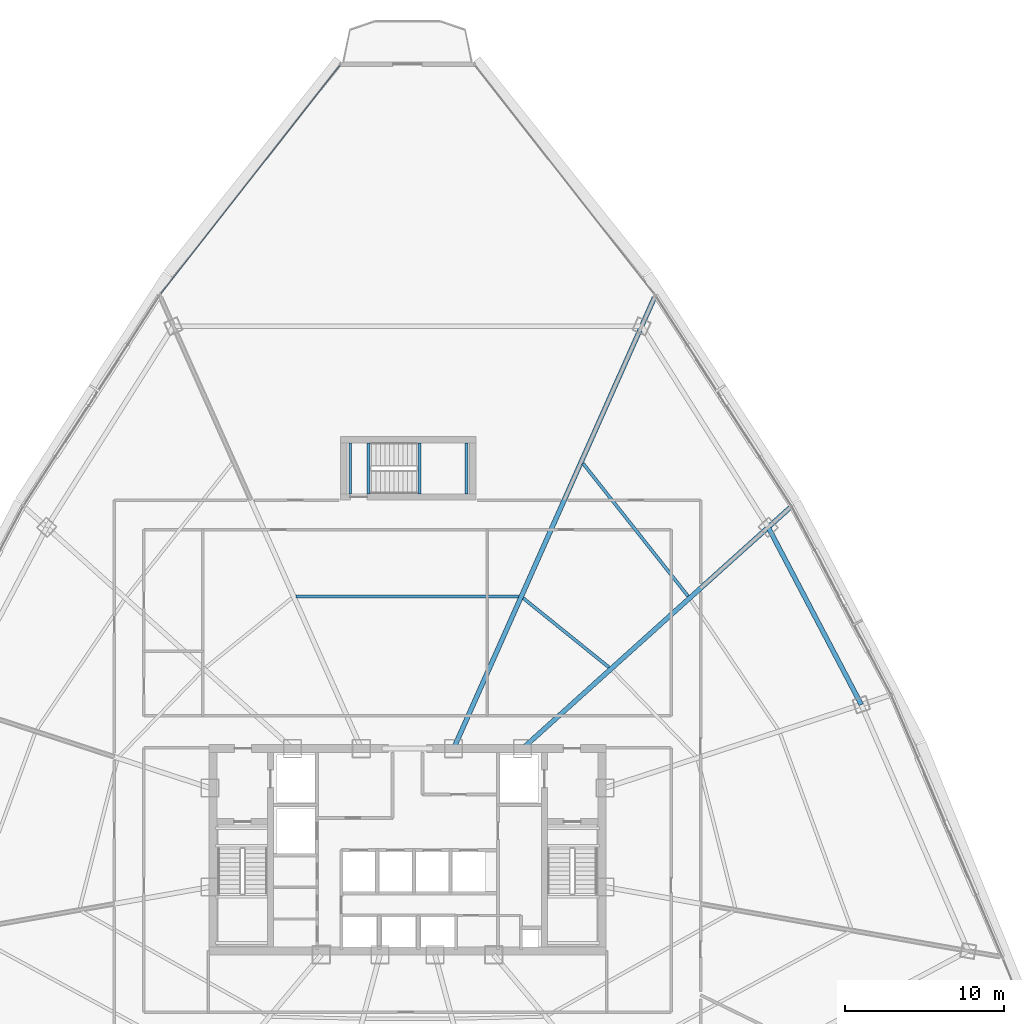
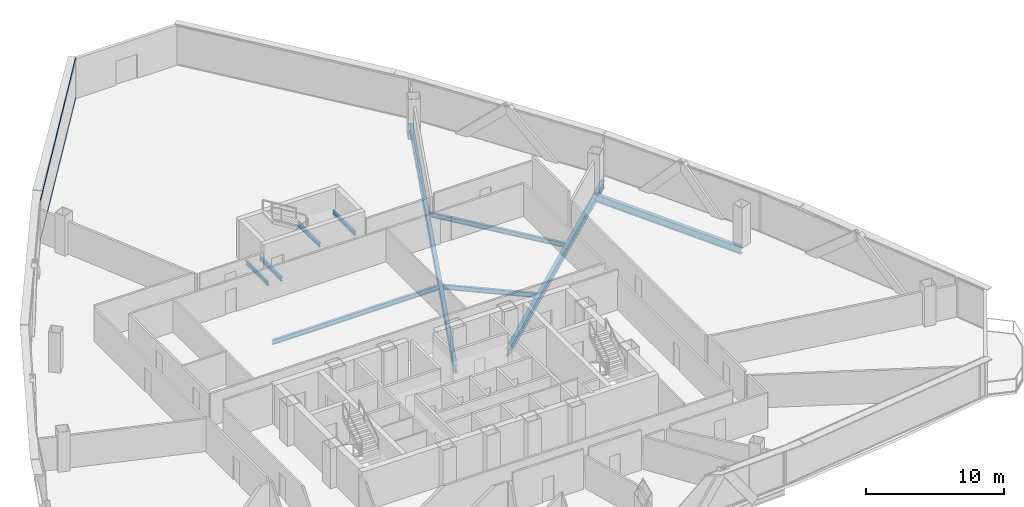
# One storey, part 19 of 37: 10 beams, 2 members, 1 element without a shape of its own.
"""IFC4 building model written with IfcOpenShell, lengths in metres."""

from ifc_helpers import new_model, si_unit, direction, frame, origin, origin_2d, place, context, subcontext, project, spatial, hollow_rectangle, i_section, extrude, source, transform, mapped, material, layer, layer_set, material_profile, profile_set, type_object, element, aggregate, save


model = new_model("IFC4")

# Units and contexts
model_context = context("Model", 3, precision=1e-05, world=origin(), true_north=direction((0.0, 1.0)))
body_context = subcontext(model_context, "Body", "Model", "MODEL_VIEW")
ifc_project = project(units=[si_unit("LENGTHUNIT", "METRE"), si_unit("AREAUNIT", "SQUARE_METRE"), si_unit("VOLUMEUNIT", "CUBIC_METRE"), si_unit("PLANEANGLEUNIT", "RADIAN"), si_unit("MASSUNIT", "GRAM", prefix="KILO"), si_unit("THERMODYNAMICTEMPERATUREUNIT", "KELVIN"), si_unit("POWERUNIT", "WATT")], contexts=[model_context])

# Site, building, storey
site_placement = place(None, origin())
site = spatial("IfcSite", under=ifc_project, at=site_placement, CompositionType="ELEMENT")
building_placement = place(site_placement, origin())
building = spatial("IfcBuilding", under=site, at=building_placement, Name="Yunzhuo Pagoda Commons", CompositionType="ELEMENT")
storey_placement = place(building_placement, frame((0.0, 0.0, 196.159912109375)))
storey = spatial("IfcBuildingStorey", under=building, at=storey_placement, Name="L49", CompositionType="ELEMENT", Elevation=196.159912109375)

# Beams
ifc_material_1 = material(Name="Structural steel Q355B", Category="steel")
ifc_material_profile_1 = material_profile(ifc_material_1, i_section(OverallWidth=0.175048828125, OverallDepth=0.35009765625, WebThickness=0.007080078125, FlangeThickness=0.010986328125, at=origin_2d()), Name="Structural steel Q355B")
ifc_profile_set_1 = profile_set([ifc_material_profile_1], Name="Structural steel Q355B")
beam_type_1 = type_object("IfcBeamType", Name="B-JS2 Joist HN 350x175x7x11", PredefinedType="JOIST", material=ifc_profile_set_1)
shared_shape_1 = source(origin(), body_context, "Body", "SweptSolid", [
    extrude(i_section(OverallWidth=0.175048828125, OverallDepth=0.35009765625, WebThickness=0.007080078125, FlangeThickness=0.010986328125, at=origin_2d()), origin(), (0.0, 0.0, 1.0), 3.199951171875),
])
for number, where, z_axis, x_axis, name in (
    (1, (48.75, 56.199951171875, 1.525146484375), (0.0, 1.0, 0.0), (-1.0, 0.0, 0.0), "L49 ST3 landing support beam 55A"),
    (2, (51.699951171875, 56.199951171875, 1.525146484375), (0.0, 1.0, 0.0), (-1.0, 0.0, 0.0), "L49 ST3 landing support beam 55B"),
    (3, (44.39990234375, 56.199951171875, -0.375), (0.0, 1.0, 0.0), (-1.0, 0.0, 0.0), "L49 ST3 landing support beam 123A"),
    (4, (45.550048828125, 56.199951171875, -0.375), (0.0, 1.0, 0.0), (-1.0, 0.0, 0.0), "L49 ST3 landing support beam 123B"),
):
    element("IfcBeam", number, at=place(storey_placement, frame(where, z_axis=z_axis, x_axis=x_axis)), inside=storey, type_object=beam_type_1, Name=name, PredefinedType="JOIST", context=body_context, shape_type="MappedRepresentation", body=[
        mapped(shared_shape_1, transform((0.0, 0.0, 0.0), scale=1.0)),
    ])
ifc_material_profile_2 = material_profile(ifc_material_1, i_section(OverallWidth=0.300048828125, OverallDepth=0.64990234375, WebThickness=0.012939453125, FlangeThickness=0.02197265625, at=origin_2d()), Name="Structural steel Q355B")
ifc_profile_set_2 = profile_set([ifc_material_profile_2], Name="Structural steel Q355B")
beam_type_2 = type_object("IfcBeamType", Name="B-RG2 Beam HN 650x300x13x22", PredefinedType="BEAM", material=ifc_profile_set_2)
shared_shape_2 = source(origin(), body_context, "Body", "SweptSolid", [
    extrude(i_section(OverallWidth=0.300048828125, OverallDepth=0.64990234375, WebThickness=0.012939453125, FlangeThickness=0.02197265625, at=origin_2d()), origin(), (0.0, 0.0, 1.0), 12.576416015625),
])
beam_1_placement = place(storey_placement, frame((76.49462890625, 42.95849609375, -0.5849609375), z_axis=(-0.464676385233, 0.885480579689, 0.0), x_axis=(-0.885480579689, -0.464676385233, 0.0)))
element("IfcBeam", 5, at=beam_1_placement, inside=storey, type_object=beam_type_2, Name="L49 column-ring beam 6", PredefinedType="BEAM", context=body_context, shape_type="MappedRepresentation", body=[
    mapped(shared_shape_2, transform((0.0, 0.0, 0.0), scale=1.0)),
])
ifc_material_profile_3 = material_profile(ifc_material_1, i_section(OverallWidth=0.199951171875, OverallDepth=0.39990234375, WebThickness=0.008056640625, FlangeThickness=0.012939453125, at=origin_2d()), Name="Structural steel Q355B")
ifc_profile_set_3 = profile_set([ifc_material_profile_3], Name="Structural steel Q355B")
beam_type_3 = type_object("IfcBeamType", Name="B-JS1 Joist HN 400x200x8x13", PredefinedType="JOIST", material=ifc_profile_set_3)
shared_shape_3 = source(origin(), body_context, "Body", "SweptSolid", [
    extrude(i_section(OverallWidth=0.199951171875, OverallDepth=0.39990234375, WebThickness=0.008056640625, FlangeThickness=0.012939453125, at=origin_2d()), origin(), (0.0, 0.0, 1.0), 6.916748046875),
])
beam_2_placement = place(storey_placement, frame((60.650634765625, 45.302001953125, -0.4599609375), z_axis=(-0.778265575865, 0.627935262127, 0.0), x_axis=(-0.627935262127, -0.778265575865, 0.0)))
element("IfcBeam", 6, at=beam_2_placement, inside=storey, type_object=beam_type_3, Name="L49 composite ring joist 1.7", PredefinedType="JOIST", context=body_context, shape_type="MappedRepresentation", body=[
    mapped(shared_shape_3, transform((0.0, 0.0, 0.0), scale=1.0)),
])
shared_shape_4 = source(origin(), body_context, "Body", "SweptSolid", [
    extrude(i_section(OverallWidth=0.199951171875, OverallDepth=0.39990234375, WebThickness=0.008056640625, FlangeThickness=0.012939453125, at=origin_2d()), origin(), (0.0, 0.0, 1.0), 10.62548828125),
])
beam_3_placement = place(storey_placement, frame((65.614013671875, 49.773193359375, -0.4599609375), z_axis=(-0.620561688531, 0.784157631301, 0.0), x_axis=(-0.784157631301, -0.620561688531, 0.0)))
element("IfcBeam", 7, at=beam_3_placement, inside=storey, type_object=beam_type_3, Name="L49 composite ring joist 2.7", PredefinedType="JOIST", context=body_context, shape_type="MappedRepresentation", body=[
    mapped(shared_shape_4, transform((0.0, 0.0, 0.0), scale=1.0)),
])
shared_shape_5 = source(origin(), body_context, "Body", "SweptSolid", [
    extrude(i_section(OverallWidth=0.199951171875, OverallDepth=0.39990234375, WebThickness=0.008056640625, FlangeThickness=0.012939453125, at=origin_2d()), origin(), (0.0, 0.0, 1.0), 13.9697265625),
])
beam_4_placement = place(storey_placement, frame((54.98486328125, 49.7451171875, -0.4599609375), z_axis=(-1.0, 0.0, 0.0), x_axis=(0.0, -1.0, 0.0)))
element("IfcBeam", 8, at=beam_4_placement, inside=storey, type_object=beam_type_3, Name="L49 composite ring joist 1.8", PredefinedType="JOIST", context=body_context, shape_type="MappedRepresentation", body=[
    mapped(shared_shape_5, transform((0.0, 0.0, 0.0), scale=1.0)),
])
shared_shape_6 = source(origin(), body_context, "Body", "SweptSolid", [
    extrude(i_section(OverallWidth=0.300048828125, OverallDepth=0.64990234375, WebThickness=0.012939453125, FlangeThickness=0.02197265625, at=origin_2d()), origin(), (0.0, 0.0, 1.0), 22.59326171875),
])
beam_5_placement = place(storey_placement, frame((72.009033203125, 55.31787109375, -0.5849609375), z_axis=(-0.743142605929, -0.669133071409, 0.0), x_axis=(0.669133071409, -0.743142605929, 0.0)))
element("IfcBeam", 9, at=beam_5_placement, inside=storey, type_object=beam_type_2, Name="L49 radial floor girder F2C3", PredefinedType="BEAM", context=body_context, shape_type="MappedRepresentation", body=[
    mapped(shared_shape_6, transform((0.0, 0.0, 0.0), scale=1.0)),
])
shared_shape_7 = source(origin(), body_context, "Body", "SweptSolid", [
    extrude(i_section(OverallWidth=0.300048828125, OverallDepth=0.64990234375, WebThickness=0.012939453125, FlangeThickness=0.02197265625, at=origin_2d()), origin(), (0.0, 0.0, 1.0), 30.999267578125),
])
beam_6_placement = place(storey_placement, frame((63.50244140625, 68.519287109375, -0.5849609375), z_axis=(-0.406731735964, -0.913547642414, 0.0), x_axis=(0.913547642414, -0.406731735964, 0.0)))
element("IfcBeam", 10, at=beam_6_placement, inside=storey, type_object=beam_type_2, Name="L49 radial floor girder F2C4", PredefinedType="BEAM", context=body_context, shape_type="MappedRepresentation", body=[
    mapped(shared_shape_7, transform((0.0, 0.0, 0.0), scale=1.0)),
])

# Curtain wall, members
ifc_material_2 = material(Name="Anodized aluminium 6063-T6", Category="aluminium")
ifc_layer = layer(ifc_material_2, 0.14990234375)
ifc_layer_set = layer_set([ifc_layer], Name="Anodized aluminium 6063-T6")
curtain_wall_type = type_object("IfcCurtainWallType", Name="CW-MID Mid-Zone Ribbon Curtain Wall", PredefinedType="NOTDEFINED", material=ifc_layer_set)
curtain_wall_placement = place(storey_placement, origin())
curtain_wall = element("IfcCurtainWall", 11, at=curtain_wall_placement, inside=storey, type_object=curtain_wall_type, Name="L49 curtain wall CW-L49-F3B1", PredefinedType="NOTDEFINED")
ifc_material_profile_4 = material_profile(ifc_material_2, hollow_rectangle(XDim=0.054931640625, YDim=0.1298828125, WallThickness=0.00341796875, at=origin_2d()), Name="Anodized aluminium 6063-T6")
ifc_profile_set_4 = profile_set([ifc_material_profile_4], Name="Anodized aluminium 6063-T6")
member_type = type_object("IfcMemberType", Name="CW-MID-T Transom RHS 130x55x3.5", PredefinedType="USERDEFINED", material=ifc_profile_set_4)
shared_shape_8 = source(origin(), body_context, "Body", "SweptSolid", [
    extrude(hollow_rectangle(XDim=0.054931640625, YDim=0.1298828125, WallThickness=0.00341796875, at=origin_2d()), origin(), (0.0, 0.0, 1.0), 18.23681640625),
])
member_1_placement = place(storey_placement, frame((43.767822265625, 83.120361328125, 0.027587890625), z_axis=(-0.616886369969, -0.78705222606, 0.0), x_axis=(0.78705222606, -0.616886369969, 0.0)))
member_1 = element("IfcMember", 12, at=member_1_placement, type_object=member_type, Name="CW transom 1.1", ObjectType="TRANSOM", PredefinedType="USERDEFINED", context=body_context, shape_type="MappedRepresentation", body=[
    mapped(shared_shape_8, transform((0.0, 0.0, 0.0), scale=1.0)),
])
member_2_placement = place(storey_placement, frame((43.767822265625, 83.120361328125, 3.5126953125), z_axis=(-0.616886369969, -0.78705222606, 0.0), x_axis=(0.78705222606, -0.616886369969, 0.0)))
member_2 = element("IfcMember", 13, at=member_2_placement, type_object=member_type, Name="CW transom 1.2", ObjectType="TRANSOM", PredefinedType="USERDEFINED", context=body_context, shape_type="MappedRepresentation", body=[
    mapped(shared_shape_8, transform((0.0, 0.0, 0.0), scale=1.0)),
])
aggregate(curtain_wall, [member_1, member_2])

save(model, "model.ifc")
